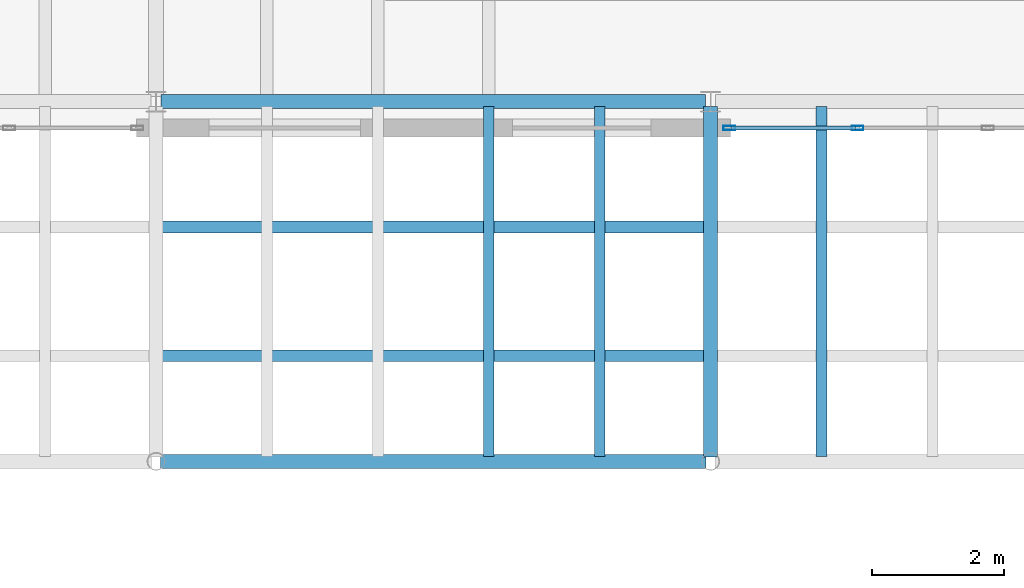
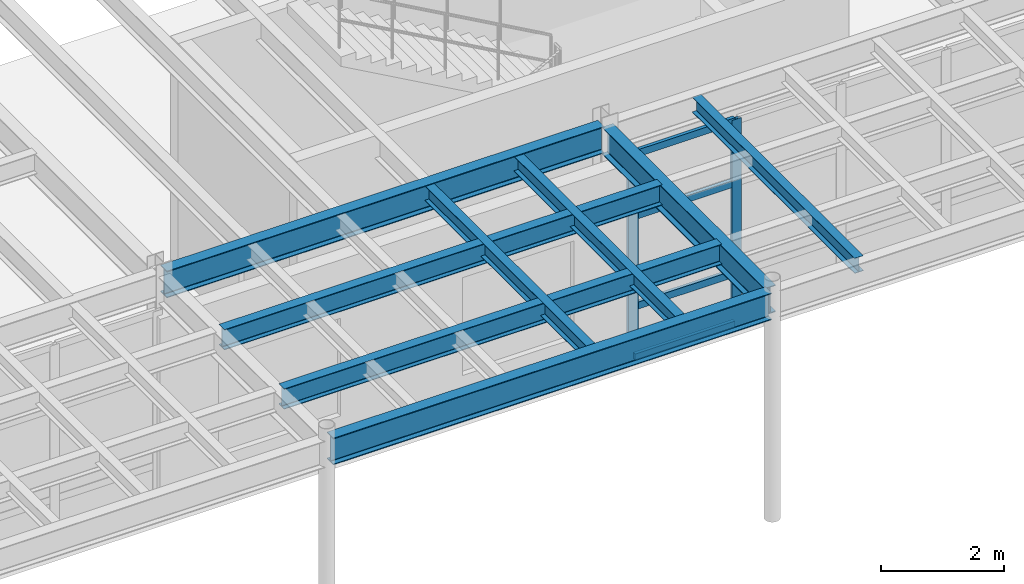
# One storey, part 49 of 116: 8 beams, 6 members, 1 element without a shape of its own.
"""IFC4 building model written with IfcOpenShell, lengths in metres."""

from ifc_helpers import new_model, si_unit, direction, frame, origin, origin_2d, place, context, subcontext, project, spatial, hollow_rectangle, i_section, extrude, material, layer, layer_set, material_profile, profile_set, type_object, element, aggregate, save


model = new_model("IFC4")

# Units and contexts
model_context = context("Model", 3, precision=1e-05, world=origin(), true_north=direction((0.0, 1.0)))
body_context = subcontext(model_context, "Body", "Model", "MODEL_VIEW")
ifc_project = project(units=[si_unit("LENGTHUNIT", "METRE"), si_unit("AREAUNIT", "SQUARE_METRE"), si_unit("VOLUMEUNIT", "CUBIC_METRE"), si_unit("PLANEANGLEUNIT", "RADIAN"), si_unit("MASSUNIT", "GRAM", prefix="KILO")], contexts=[model_context])

# Site, building, storey
site_placement = place(None, origin())
site = spatial("IfcSite", under=ifc_project, at=site_placement, CompositionType="ELEMENT")
building_placement = place(site_placement, origin())
building = spatial("IfcBuilding", under=site, at=building_placement, Name="Selat Folded Stagehouse", CompositionType="ELEMENT")
storey_placement = place(building_placement, frame((0.0, 0.0, 5.39990234375)))
storey = spatial("IfcBuildingStorey", under=building, at=storey_placement, Name="L01", CompositionType="ELEMENT", Elevation=5.39990234375)

# Beams
ifc_material_1 = material(Name="Steel S355", Category="steel")
ifc_material_profile_1 = material_profile(ifc_material_1, i_section(OverallWidth=0.210693359375, OverallDepth=0.53955078125, WebThickness=0.01171875, FlangeThickness=0.018798828125, FilletRadius=0.0126953125, at=origin_2d()), Name="UKB 533x210x109")
ifc_profile_set_1 = profile_set([ifc_material_profile_1], Name="Steel S355")
beam_type_1 = type_object("IfcBeamType", Name="BM-GIRD-533x210x109", PredefinedType="BEAM", material=ifc_profile_set_1)
beam_1_placement = place(storey_placement, frame((100.800048828125, 0.418212890625, 4.290283203125), z_axis=(0.0, 1.0, 0.0), x_axis=(-1.0, 0.0, 0.0)))
element("IfcBeam", 1, at=beam_1_placement, inside=storey, type_object=beam_type_1, Name="L01 primary y-girder 0836", PredefinedType="BEAM", context=body_context, shape_type="SweptSolid", body=[
    extrude(i_section(OverallWidth=0.210693359375, OverallDepth=0.53955078125, WebThickness=0.01171875, FlangeThickness=0.018798828125, FilletRadius=0.0126953125, at=origin_2d()), origin(), (0.0, 0.0, 1.0), 5.3046875),
])
ifc_material_profile_2 = material_profile(ifc_material_1, i_section(OverallWidth=0.209228515625, OverallDepth=0.533203125, WebThickness=0.010009765625, FlangeThickness=0.015625, FilletRadius=0.0126953125, at=origin_2d()), Name="UKB 533x210x92")
ifc_profile_set_2 = profile_set([ifc_material_profile_2], Name="Steel S355")
beam_type_2 = type_object("IfcBeamType", Name="BM-GIRD-533x210x92", PredefinedType="BEAM", material=ifc_profile_set_2)
beam_2_placement = place(storey_placement, frame((92.46826171875, 0.35009765625, 4.293701171875), z_axis=(1.0, 0.0, 0.0), x_axis=(0.0, 1.0, 0.0)))
element("IfcBeam", 2, at=beam_2_placement, inside=storey, type_object=beam_type_2, Name="L01 primary x-girder 0754", PredefinedType="BEAM", context=body_context, shape_type="SweptSolid", body=[
    extrude(i_section(OverallWidth=0.209228515625, OverallDepth=0.533203125, WebThickness=0.010009765625, FlangeThickness=0.015625, FilletRadius=0.0126953125, at=origin_2d()), origin(), (0.0, 0.0, 1.0), 8.263427734375),
])
beam_3_placement = place(storey_placement, frame((92.47705078125, 5.800048828125, 4.3134765625), z_axis=(1.0, 0.0, 0.0), x_axis=(0.0, 1.0, 0.0)))
element("IfcBeam", 3, at=beam_3_placement, inside=storey, type_object=beam_type_2, Name="L01 primary x-girder 0763", PredefinedType="BEAM", context=body_context, shape_type="SweptSolid", body=[
    extrude(i_section(OverallWidth=0.209228515625, OverallDepth=0.533203125, WebThickness=0.010009765625, FlangeThickness=0.015625, FilletRadius=0.0126953125, at=origin_2d()), origin(), (0.0, 0.0, 1.0), 8.245849609375),
])

# Curtain wall, members
ifc_material_2 = material(Name="Aluminium 6063-T6", Category="aluminium")
ifc_layer = layer(ifc_material_2, 0.2099609375)
ifc_layer_set = layer_set([ifc_layer], Name="Aluminium 6063-T6")
curtain_wall_type = type_object("IfcCurtainWallType", Name="CW-FYR-SOUTH", PredefinedType="NOTDEFINED", material=ifc_layer_set)
curtain_wall_placement = place(storey_placement, origin())
curtain_wall = element("IfcCurtainWall", 4, at=curtain_wall_placement, inside=storey, type_object=curtain_wall_type, Name="L01 curtain wall CW-FYR-L01-05", PredefinedType="NOTDEFINED")
ifc_material_profile_3 = material_profile(ifc_material_2, hollow_rectangle(XDim=0.06494140625, YDim=0.179931640625, WallThickness=0.00390625, at=origin_2d()), Name="ALU 180x65x4.0")
ifc_profile_set_3 = profile_set([ifc_material_profile_3], Name="Aluminium 6063-T6")
member_type_1 = type_object("IfcMemberType", Name="CWM-MUL-180x65", PredefinedType="MULLION", material=ifc_profile_set_3)
member_1_placement = place(storey_placement, frame((103.02490234375, 5.39990234375, 0.0), z_axis=(0.0, 0.0, 1.0), x_axis=(0.0, -1.0, 0.0)))
member_1 = element("IfcMember", 5, at=member_1_placement, type_object=member_type_1, Name="CW-04 mullion 4", PredefinedType="MULLION", context=body_context, shape_type="SweptSolid", body=[
    extrude(hollow_rectangle(XDim=0.06494140625, YDim=0.179931640625, WallThickness=0.00390625, at=origin_2d()), origin(), (0.0, 0.0, 1.0), 4.1201171875),
])
member_2_placement = place(storey_placement, frame((101.08251953125, 5.39990234375, 0.0), z_axis=(0.0, 0.0, 1.0), x_axis=(0.0, -1.0, 0.0)))
member_2 = element("IfcMember", 6, at=member_2_placement, type_object=member_type_1, Name="CW-04 mullion 5", PredefinedType="MULLION", context=body_context, shape_type="SweptSolid", body=[
    extrude(hollow_rectangle(XDim=0.06494140625, YDim=0.179931640625, WallThickness=0.00390625, at=origin_2d()), origin(), (0.0, 0.0, 1.0), 4.1201171875),
])
ifc_material_profile_4 = material_profile(ifc_material_2, hollow_rectangle(XDim=0.06494140625, YDim=0.139892578125, WallThickness=0.00390625, at=origin_2d()), Name="ALU 140x65x4.0")
ifc_profile_set_4 = profile_set([ifc_material_profile_4], Name="Aluminium 6063-T6")
member_type_2 = type_object("IfcMemberType", Name="CWM-TRN-140x65", PredefinedType="USERDEFINED", material=ifc_profile_set_4)
member_3_placement = place(storey_placement, frame((102.992431640625, 5.39990234375, 0.03271484375), z_axis=(-1.0, 0.0, 0.0), x_axis=(0.0, -1.0, 0.0)))
member_3 = element("IfcMember", 7, at=member_3_placement, type_object=member_type_2, Name="CW-04 transom 4.1", ObjectType="TRANSOM", PredefinedType="USERDEFINED", context=body_context, shape_type="SweptSolid", body=[
    extrude(hollow_rectangle(XDim=0.06494140625, YDim=0.139892578125, WallThickness=0.00390625, at=origin_2d()), origin(), (0.0, 0.0, 1.0), 1.87744140625),
])
member_4_placement = place(storey_placement, frame((102.992431640625, 5.39990234375, 1.050048828125), z_axis=(-1.0, 0.0, 0.0), x_axis=(0.0, -1.0, 0.0)))
member_4 = element("IfcMember", 8, at=member_4_placement, type_object=member_type_2, Name="CW-04 transom 4.2", ObjectType="TRANSOM", PredefinedType="USERDEFINED", context=body_context, shape_type="SweptSolid", body=[
    extrude(hollow_rectangle(XDim=0.06494140625, YDim=0.139892578125, WallThickness=0.00390625, at=origin_2d()), origin(), (0.0, 0.0, 1.0), 1.87744140625),
])
member_5_placement = place(storey_placement, frame((102.992431640625, 5.39990234375, 2.85009765625), z_axis=(-1.0, 0.0, 0.0), x_axis=(0.0, -1.0, 0.0)))
member_5 = element("IfcMember", 9, at=member_5_placement, type_object=member_type_2, Name="CW-04 transom 4.3", ObjectType="TRANSOM", PredefinedType="USERDEFINED", context=body_context, shape_type="SweptSolid", body=[
    extrude(hollow_rectangle(XDim=0.06494140625, YDim=0.139892578125, WallThickness=0.00390625, at=origin_2d()), origin(), (0.0, 0.0, 1.0), 1.87744140625),
])
member_6_placement = place(storey_placement, frame((102.992431640625, 5.39990234375, 4.087646484375), z_axis=(-1.0, 0.0, 0.0), x_axis=(0.0, -1.0, 0.0)))
member_6 = element("IfcMember", 10, at=member_6_placement, type_object=member_type_2, Name="CW-04 transom 4.4", ObjectType="TRANSOM", PredefinedType="USERDEFINED", context=body_context, shape_type="SweptSolid", body=[
    extrude(hollow_rectangle(XDim=0.06494140625, YDim=0.139892578125, WallThickness=0.00390625, at=origin_2d()), origin(), (0.0, 0.0, 1.0), 1.87744140625),
])
aggregate(curtain_wall, [member_1, member_2, member_3, member_4, member_5, member_6])

# Beams
ifc_material_profile_5 = material_profile(ifc_material_1, i_section(OverallWidth=0.1650390625, OverallDepth=0.303466796875, WebThickness=0.006103515625, FlangeThickness=0.01025390625, FilletRadius=0.0087890625, at=origin_2d()), Name="UKB 305x165x40")
ifc_profile_set_5 = profile_set([ifc_material_profile_5], Name="Steel S355")
beam_type_3 = type_object("IfcBeamType", Name="JST-305x165x40", PredefinedType="JOIST", material=ifc_profile_set_5)
for number, where, z_axis, x_axis, name in (
    (11, (97.43994140625, 0.42333984375, 4.408447265625), (0.0, 1.0, 0.0), (-1.0, 0.0, 0.0), "L01 secondary floor joist 0894"),
    (12, (99.1201171875, 0.42333984375, 4.408447265625), (0.0, 1.0, 0.0), (-1.0, 0.0, 0.0), "L01 secondary floor joist 0896"),
    (13, (102.47998046875, 0.42333984375, 4.408447265625), (0.0, 1.0, 0.0), (-1.0, 0.0, 0.0), "L01 secondary floor joist 0897"),
):
    element("IfcBeam", number, at=place(storey_placement, frame(where, z_axis=z_axis, x_axis=x_axis)), inside=storey, type_object=beam_type_3, Name=name, PredefinedType="JOIST", context=body_context, shape_type="SweptSolid", body=[
        extrude(i_section(OverallWidth=0.1650390625, OverallDepth=0.303466796875, WebThickness=0.006103515625, FlangeThickness=0.01025390625, FilletRadius=0.0087890625, at=origin_2d()), origin(), (0.0, 0.0, 1.0), 5.303466796875),
    ])
ifc_material_profile_6 = material_profile(ifc_material_1, i_section(OverallWidth=0.177978515625, OverallDepth=0.406494140625, WebThickness=0.0078125, FlangeThickness=0.0126953125, FilletRadius=0.01025390625, at=origin_2d()), Name="UKB 406x178x60")
ifc_profile_set_6 = profile_set([ifc_material_profile_6], Name="Steel S355")
beam_type_4 = type_object("IfcBeamType", Name="JST-406x178x60", PredefinedType="JOIST", material=ifc_profile_set_6)
for number, where, z_axis, x_axis, name in (
    (14, (92.473876953125, 1.949951171875, 4.35693359375), (1.0, 0.0, 0.0), (0.0, 1.0, 0.0), "L01 secondary x-joist 0927"),
    (15, (92.473876953125, 3.89990234375, 4.35693359375), (1.0, 0.0, 0.0), (0.0, 1.0, 0.0), "L01 secondary x-joist 0932"),
):
    element("IfcBeam", number, at=place(storey_placement, frame(where, z_axis=z_axis, x_axis=x_axis)), inside=storey, type_object=beam_type_4, Name=name, PredefinedType="JOIST", context=body_context, shape_type="SweptSolid", body=[
        extrude(i_section(OverallWidth=0.177978515625, OverallDepth=0.406494140625, WebThickness=0.0078125, FlangeThickness=0.0126953125, FilletRadius=0.01025390625, at=origin_2d()), origin(), (0.0, 0.0, 1.0), 8.25244140625),
    ])

save(model, "model.ifc")
